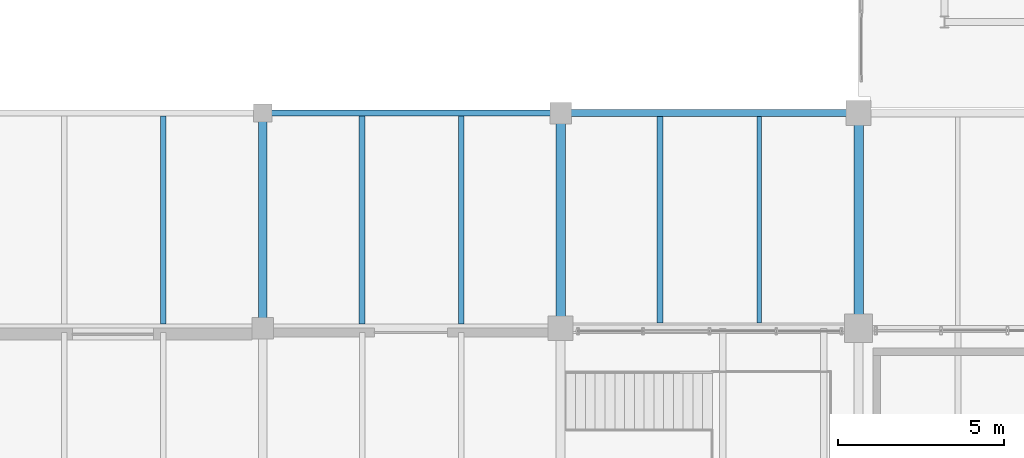
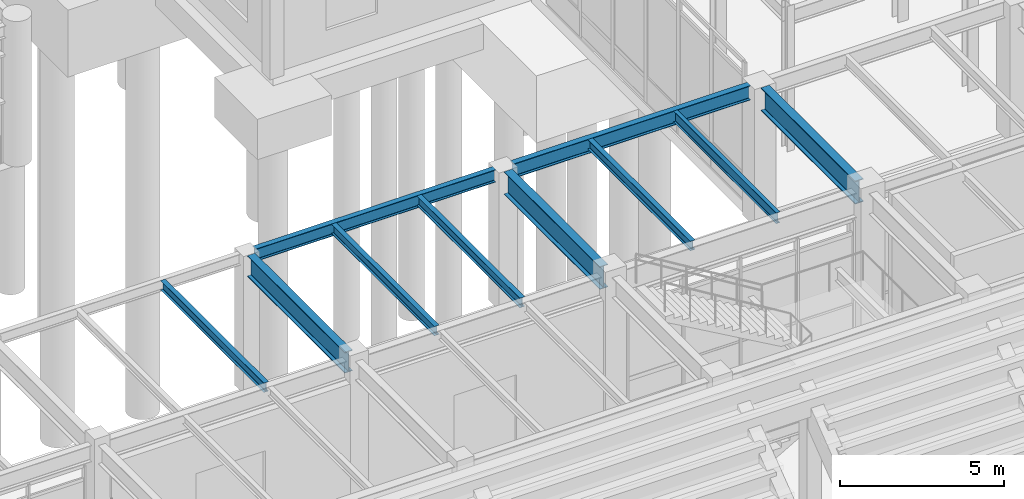
# One storey, part 85 of 203: 10 beams.
"""IFC4 building model written with IfcOpenShell, lengths in metres."""

from ifc_helpers import new_model, si_unit, direction, frame, origin, origin_2d, place, context, subcontext, project, spatial, i_section, extrude, material, material_profile, profile_set, type_object, element, save


model = new_model("IFC4")

# Units and contexts
model_context = context("Model", 3, precision=1e-05, world=origin(), true_north=direction((0.0, 1.0)))
body_context = subcontext(model_context, "Body", "Model", "MODEL_VIEW")
ifc_project = project(units=[si_unit("LENGTHUNIT", "METRE"), si_unit("AREAUNIT", "SQUARE_METRE"), si_unit("VOLUMEUNIT", "CUBIC_METRE"), si_unit("PLANEANGLEUNIT", "RADIAN"), si_unit("MASSUNIT", "GRAM", prefix="KILO"), si_unit("THERMODYNAMICTEMPERATUREUNIT", "KELVIN"), si_unit("POWERUNIT", "WATT")], contexts=[model_context])

# Site, building, storey
site_placement = place(None, origin())
site = spatial("IfcSite", under=ifc_project, at=site_placement, CompositionType="ELEMENT")
building_placement = place(site_placement, origin())
building = spatial("IfcBuilding", under=site, at=building_placement, Name="Tepalcoro Natatorium and Aquatics Centre", CompositionType="ELEMENT")
storey_placement = place(building_placement, origin())
storey = spatial("IfcBuildingStorey", under=building, at=storey_placement, Name="L00", CompositionType="ELEMENT", Elevation=0.0)

# Beams
ifc_material = material(Name="Steel ASTM A992 Grade 50 (Fy 345 MPa)", Category="steel")
ifc_material_profile_1 = material_profile(ifc_material, i_section(OverallWidth=0.26708984375, OverallDepth=0.780029296875, WebThickness=0.01708984375, FlangeThickness=0.030029296875, FilletRadius=0.013916015625, at=origin_2d()), Name="W30X148")
ifc_profile_set_1 = profile_set([ifc_material_profile_1], Name="Steel ASTM A992 Grade 50 (Fy 345 MPa)")
beam_type_1 = type_object("IfcBeamType", Name="BM_W30x148", PredefinedType="BEAM", material=ifc_profile_set_1)
beam_1_placement = place(storey_placement, frame((89.0, 65.81005859375, 4.695068359375), z_axis=(0.0, 1.0, 0.0), x_axis=(-1.0, 0.0, 0.0)))
element("IfcBeam", 1, at=beam_1_placement, inside=storey, type_object=beam_type_1, Name="V1 L00 Grid Girder Y", PredefinedType="BEAM", context=body_context, shape_type="SweptSolid", body=[
    extrude(i_section(OverallWidth=0.26708984375, OverallDepth=0.780029296875, WebThickness=0.01708984375, FlangeThickness=0.030029296875, FilletRadius=0.013916015625, at=origin_2d()), origin(), (0.0, 0.0, 1.0), 5.929931640625),
])
ifc_material_profile_2 = material_profile(ifc_material, i_section(OverallWidth=0.2919921875, OverallDepth=0.845947265625, WebThickness=0.014892578125, FlangeThickness=0.02392578125, FilletRadius=0.013916015625, at=origin_2d()), Name="W33X141")
ifc_profile_set_2 = profile_set([ifc_material_profile_2], Name="Steel ASTM A992 Grade 50 (Fy 345 MPa)")
beam_type_2 = type_object("IfcBeamType", Name="BM_W33x141", PredefinedType="BEAM", material=ifc_profile_set_2)
beam_2_placement = place(storey_placement, frame((98.0, 65.860107421875, 4.662109375), z_axis=(0.0, 1.0, 0.0), x_axis=(-1.0, 0.0, 0.0)))
element("IfcBeam", 2, at=beam_2_placement, inside=storey, type_object=beam_type_2, Name="V1 L00 Grid Girder Y", PredefinedType="BEAM", context=body_context, shape_type="SweptSolid", body=[
    extrude(i_section(OverallWidth=0.2919921875, OverallDepth=0.845947265625, WebThickness=0.014892578125, FlangeThickness=0.02392578125, FilletRadius=0.013916015625, at=origin_2d()), origin(), (0.0, 0.0, 1.0), 5.829833984375),
])
ifc_material_profile_3 = material_profile(ifc_material, i_section(OverallWidth=0.2919921875, OverallDepth=0.85888671875, WebThickness=0.01708984375, FlangeThickness=0.031005859375, FilletRadius=0.013916015625, at=origin_2d()), Name="W33X169")
ifc_profile_set_3 = profile_set([ifc_material_profile_3], Name="Steel ASTM A992 Grade 50 (Fy 345 MPa)")
beam_type_3 = type_object("IfcBeamType", Name="BM_W33x169", PredefinedType="BEAM", material=ifc_profile_set_3)
beam_3_placement = place(storey_placement, frame((107.0, 65.909912109375, 4.655517578125), z_axis=(0.0, 1.0, 0.0), x_axis=(-1.0, 0.0, 0.0)))
element("IfcBeam", 3, at=beam_3_placement, inside=storey, type_object=beam_type_3, Name="V1 L00 Grid Girder Y", PredefinedType="BEAM", context=body_context, shape_type="SweptSolid", body=[
    extrude(i_section(OverallWidth=0.2919921875, OverallDepth=0.85888671875, WebThickness=0.01708984375, FlangeThickness=0.031005859375, FilletRadius=0.013916015625, at=origin_2d()), origin(), (0.0, 0.0, 1.0), 5.72998046875),
])
ifc_material_profile_4 = material_profile(ifc_material, i_section(OverallWidth=0.1708984375, OverallDepth=0.35107421875, WebThickness=0.007080078125, FlangeThickness=0.010009765625, FilletRadius=0.013916015625, at=origin_2d()), Name="W14X30")
ifc_profile_set_4 = profile_set([ifc_material_profile_4], Name="Steel ASTM A992 Grade 50 (Fy 345 MPa)")
beam_type_4 = type_object("IfcBeamType", Name="JS_W14x30", PredefinedType="JOIST", material=ifc_profile_set_4)
beam_4_placement = place(storey_placement, frame((86.0, 65.626953125, 4.909423828125), z_axis=(0.0, 1.0, 0.0), x_axis=(-1.0, 0.0, 0.0)))
element("IfcBeam", 4, at=beam_4_placement, inside=storey, type_object=beam_type_4, Name="V1 L00 Floor Joist", PredefinedType="JOIST", context=body_context, shape_type="SweptSolid", body=[
    extrude(i_section(OverallWidth=0.1708984375, OverallDepth=0.35107421875, WebThickness=0.007080078125, FlangeThickness=0.010009765625, FilletRadius=0.013916015625, at=origin_2d()), origin(), (0.0, 0.0, 1.0), 6.282958984375),
])
beam_5_placement = place(storey_placement, frame((92.0, 65.633544921875, 4.909423828125), z_axis=(0.0, 1.0, 0.0), x_axis=(-1.0, 0.0, 0.0)))
element("IfcBeam", 5, at=beam_5_placement, inside=storey, type_object=beam_type_4, Name="V1 L00 Floor Joist", PredefinedType="JOIST", context=body_context, shape_type="SweptSolid", body=[
    extrude(i_section(OverallWidth=0.1708984375, OverallDepth=0.35107421875, WebThickness=0.007080078125, FlangeThickness=0.010009765625, FilletRadius=0.013916015625, at=origin_2d()), origin(), (0.0, 0.0, 1.0), 6.27099609375),
])
ifc_material_profile_5 = material_profile(ifc_material, i_section(OverallWidth=0.172119140625, OverallDepth=0.35791015625, WebThickness=0.008056640625, FlangeThickness=0.012939453125, FilletRadius=0.013916015625, at=origin_2d()), Name="W14X38")
ifc_profile_set_5 = profile_set([ifc_material_profile_5], Name="Steel ASTM A992 Grade 50 (Fy 345 MPa)")
beam_type_5 = type_object("IfcBeamType", Name="JS_W14x38", PredefinedType="JOIST", material=ifc_profile_set_5)
beam_6_placement = place(storey_placement, frame((95.0, 65.633544921875, 4.906005859375), z_axis=(0.0, 1.0, 0.0), x_axis=(-1.0, 0.0, 0.0)))
element("IfcBeam", 6, at=beam_6_placement, inside=storey, type_object=beam_type_5, Name="V1 L00 Floor Joist", PredefinedType="JOIST", context=body_context, shape_type="SweptSolid", body=[
    extrude(i_section(OverallWidth=0.172119140625, OverallDepth=0.35791015625, WebThickness=0.008056640625, FlangeThickness=0.012939453125, FilletRadius=0.013916015625, at=origin_2d()), origin(), (0.0, 0.0, 1.0), 6.27099609375),
])
beam_7_placement = place(storey_placement, frame((101.0, 65.652587890625, 4.906005859375), z_axis=(0.0, 1.0, 0.0), x_axis=(-1.0, 0.0, 0.0)))
element("IfcBeam", 7, at=beam_7_placement, inside=storey, type_object=beam_type_5, Name="V1 L00 Floor Joist", PredefinedType="JOIST", context=body_context, shape_type="SweptSolid", body=[
    extrude(i_section(OverallWidth=0.172119140625, OverallDepth=0.35791015625, WebThickness=0.008056640625, FlangeThickness=0.012939453125, FilletRadius=0.013916015625, at=origin_2d()), origin(), (0.0, 0.0, 1.0), 6.242431640625),
])
ifc_material_profile_6 = material_profile(ifc_material, i_section(OverallWidth=0.139892578125, OverallDepth=0.404052734375, WebThickness=0.007080078125, FlangeThickness=0.010986328125, FilletRadius=0.013916015625, at=origin_2d()), Name="W16X31")
ifc_profile_set_6 = profile_set([ifc_material_profile_6], Name="Steel ASTM A992 Grade 50 (Fy 345 MPa)")
beam_type_6 = type_object("IfcBeamType", Name="JS_W16x31", PredefinedType="JOIST", material=ifc_profile_set_6)
beam_8_placement = place(storey_placement, frame((104.0, 65.652587890625, 4.883056640625), z_axis=(0.0, 1.0, 0.0), x_axis=(-1.0, 0.0, 0.0)))
element("IfcBeam", 8, at=beam_8_placement, inside=storey, type_object=beam_type_6, Name="V1 L00 Floor Joist", PredefinedType="JOIST", context=body_context, shape_type="SweptSolid", body=[
    extrude(i_section(OverallWidth=0.139892578125, OverallDepth=0.404052734375, WebThickness=0.007080078125, FlangeThickness=0.010986328125, FilletRadius=0.013916015625, at=origin_2d()), origin(), (0.0, 0.0, 1.0), 6.242431640625),
])
ifc_material_profile_7 = material_profile(ifc_material, i_section(OverallWidth=0.19091796875, OverallDepth=0.4599609375, WebThickness=0.010009765625, FlangeThickness=0.01611328125, FilletRadius=0.013916015625, at=origin_2d()), Name="W18X55")
ifc_profile_set_7 = profile_set([ifc_material_profile_7], Name="Steel ASTM A992 Grade 50 (Fy 345 MPa)")
beam_type_7 = type_object("IfcBeamType", Name="SP_W18x55", PredefinedType="SPANDREL", material=ifc_profile_set_7)
beam_9_placement = place(storey_placement, frame((89.260009765625, 72.0, 4.85498046875), z_axis=(1.0, 0.0, 0.0), x_axis=(0.0, 1.0, 0.0)))
element("IfcBeam", 9, at=beam_9_placement, inside=storey, type_object=beam_type_7, Name="V1 L00 Grid Girder X", PredefinedType="SPANDREL", context=body_context, shape_type="SweptSolid", body=[
    extrude(i_section(OverallWidth=0.19091796875, OverallDepth=0.4599609375, WebThickness=0.010009765625, FlangeThickness=0.01611328125, FilletRadius=0.013916015625, at=origin_2d()), origin(), (0.0, 0.0, 1.0), 8.429931640625),
])
ifc_material_profile_8 = material_profile(ifc_material, i_section(OverallWidth=0.2099609375, OverallDepth=0.535888671875, WebThickness=0.010986328125, FlangeThickness=0.01708984375, FilletRadius=0.013916015625, at=origin_2d()), Name="W21X68")
ifc_profile_set_8 = profile_set([ifc_material_profile_8], Name="Steel ASTM A992 Grade 50 (Fy 345 MPa)")
beam_type_8 = type_object("IfcBeamType", Name="SP_W21x68", PredefinedType="SPANDREL", material=ifc_profile_set_8)
beam_10_placement = place(storey_placement, frame((98.31005859375, 72.0, 4.81689453125), z_axis=(1.0, 0.0, 0.0), x_axis=(0.0, 1.0, 0.0)))
element("IfcBeam", 10, at=beam_10_placement, inside=storey, type_object=beam_type_8, Name="V1 L00 Grid Girder X", PredefinedType="SPANDREL", context=body_context, shape_type="SweptSolid", body=[
    extrude(i_section(OverallWidth=0.2099609375, OverallDepth=0.535888671875, WebThickness=0.010986328125, FlangeThickness=0.01708984375, FilletRadius=0.013916015625, at=origin_2d()), origin(), (0.0, 0.0, 1.0), 8.329833984375),
])

save(model, "model.ifc")
